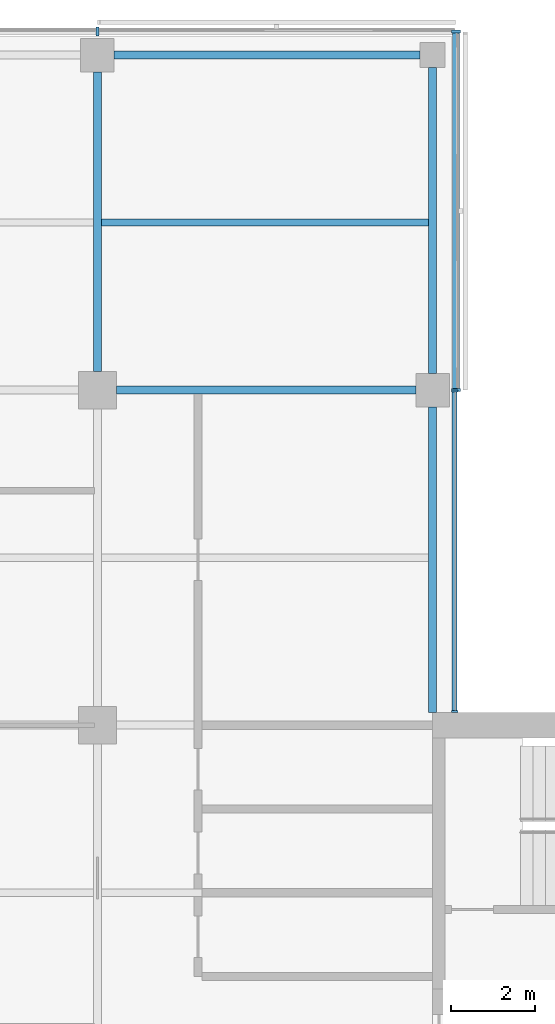
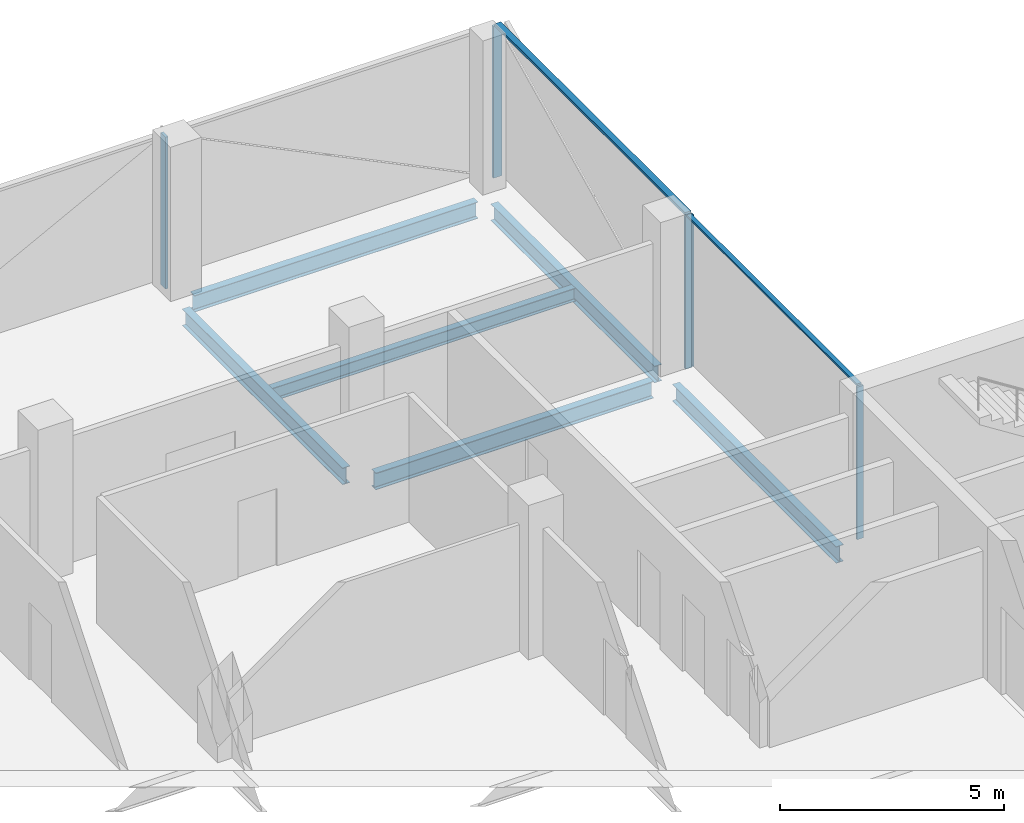
# One storey, part 7 of 16: 7 members, 6 beams, 3 elements without a shape of their own.
"""IFC4 building model written with IfcOpenShell, lengths in metres."""

from ifc_helpers import new_model, si_unit, direction, frame, origin, origin_2d, place, context, subcontext, project, spatial, rectangle, i_section, extrude, material, material_profile, profile_set, type_object, element, aggregate, save


model = new_model("IFC4")

# Units and contexts
model_context = context("Model", 3, precision=1e-05, world=origin(), true_north=direction((0.0, 1.0)))
body_context = subcontext(model_context, "Body", "Model", "MODEL_VIEW")
ifc_project = project(units=[si_unit("LENGTHUNIT", "METRE"), si_unit("AREAUNIT", "SQUARE_METRE"), si_unit("VOLUMEUNIT", "CUBIC_METRE"), si_unit("PLANEANGLEUNIT", "RADIAN"), si_unit("MASSUNIT", "GRAM", prefix="KILO")], contexts=[model_context])

# Site, building, storey
site_placement = place(None, origin())
site = spatial("IfcSite", under=ifc_project, at=site_placement, CompositionType="ELEMENT")
building_placement = place(site_placement, origin())
building = spatial("IfcBuilding", under=site, at=building_placement, Name="Crosswind Convention Tower", CompositionType="ELEMENT")
storey_placement = place(building_placement, frame((0.0, 0.0, 216.699951171875)))
storey = spatial("IfcBuildingStorey", under=building, at=storey_placement, Name="L46", CompositionType="ELEMENT", Elevation=216.699951171875)

# Beams
ifc_material_1 = material(Name="Steel S355", Category="steel")
ifc_material_profile_1 = material_profile(ifc_material_1, i_section(OverallWidth=0.18994140625, OverallDepth=0.45361328125, WebThickness=0.008544921875, FlangeThickness=0.0126953125, FilletRadius=0.01025390625, at=origin_2d()), Name="UB 457x191x67")
ifc_profile_set_1 = profile_set([ifc_material_profile_1], Name="Steel S355")
beam_type_1 = type_object("IfcBeamType", Name="Edge beam UB 457x191x67", PredefinedType="SPANDREL", material=ifc_profile_set_1)
for number, where, z_axis, x_axis, name in (
    (1, (129.39990234375, 128.0, -0.52685546875), (1.0, 0.0, 0.0), (0.0, 1.0, 0.0), "B16 L46 edge beam 10"),
    (2, (137.0, 112.300048828125, -0.52685546875), (0.0, 1.0, 0.0), (-1.0, 0.0, 0.0), "B16 L46 edge beam 13"),
    (3, (137.0, 120.39990234375, -0.52685546875), (0.0, 1.0, 0.0), (-1.0, 0.0, 0.0), "B16 L46 edge beam 14"),
):
    element("IfcBeam", number, at=place(storey_placement, frame(where, z_axis=z_axis, x_axis=x_axis)), inside=storey, type_object=beam_type_1, Name=name, PredefinedType="SPANDREL", context=body_context, shape_type="SweptSolid", body=[
        extrude(i_section(OverallWidth=0.18994140625, OverallDepth=0.45361328125, WebThickness=0.008544921875, FlangeThickness=0.0126953125, FilletRadius=0.01025390625, at=origin_2d()), origin(), (0.0, 0.0, 1.0), 7.300048828125),
    ])
ifc_material_profile_2 = material_profile(ifc_material_1, i_section(OverallWidth=0.1904296875, OverallDepth=0.457275390625, WebThickness=0.009033203125, FlangeThickness=0.014404296875, FilletRadius=0.01025390625, at=origin_2d()), Name="UB 457x191x75")
ifc_profile_set_2 = profile_set([ifc_material_profile_2], Name="Steel S355")
beam_type_2 = type_object("IfcBeamType", Name="Girder UB 457x191x75", PredefinedType="BEAM", material=ifc_profile_set_2)
for number, where, z_axis, x_axis, name in (
    (4, (129.0, 120.449951171875, -0.528564453125), (0.0, 1.0, 0.0), (-1.0, 0.0, 0.0), "B2 L46 girder 22"),
    (5, (129.449951171875, 120.0, -0.528564453125), (1.0, 0.0, 0.0), (0.0, 1.0, 0.0), "B2 L46 girder 24"),
):
    element("IfcBeam", number, at=place(storey_placement, frame(where, z_axis=z_axis, x_axis=x_axis)), inside=storey, type_object=beam_type_2, Name=name, PredefinedType="BEAM", context=body_context, shape_type="SweptSolid", body=[
        extrude(i_section(OverallWidth=0.1904296875, OverallDepth=0.457275390625, WebThickness=0.009033203125, FlangeThickness=0.014404296875, FilletRadius=0.01025390625, at=origin_2d()), origin(), (0.0, 0.0, 1.0), 7.150146484375),
    ])

# Curtain wall, members
ifc_material_2 = material(Name="Aluminium unitised curtain wall", Category="aluminium")
curtain_wall_type_1 = type_object("IfcCurtainWallType", Name="CORE END SLOT WALL 160", PredefinedType="USERDEFINED", material=ifc_material_2)
curtain_wall_1_placement = place(storey_placement, origin())
curtain_wall_1 = element("IfcCurtainWall", 6, at=curtain_wall_1_placement, inside=storey, type_object=curtain_wall_type_1, Name="CW6 L46 N-E.1-1 slot", ObjectType="UNITISED", PredefinedType="USERDEFINED")
ifc_material_3 = material(Name="Aluminium mullion", Category="aluminium")
ifc_material_profile_3 = material_profile(ifc_material_3, rectangle(XDim=0.159912109375, YDim=0.050048828125, at=origin_2d()), Name="AL 160X50")
ifc_profile_set_3 = profile_set([ifc_material_profile_3], Name="Aluminium mullion")
member_type_1 = type_object("IfcMemberType", Name="MULLION 50X160", PredefinedType="MULLION", material=ifc_profile_set_3)
member_1_placement = place(storey_placement, frame((137.530029296875, 112.324951171875, -0.300048828125), z_axis=(0.0, 0.0, 1.0), x_axis=(1.0, 0.0, 0.0)))
member_1 = element("IfcMember", 7, at=member_1_placement, type_object=member_type_1, Name="CW6 mullion 1", PredefinedType="MULLION", context=body_context, shape_type="SweptSolid", body=[
    extrude(rectangle(XDim=0.159912109375, YDim=0.050048828125, at=origin_2d()), origin(), (0.0, 0.0, 1.0), 4.150146484375),
])
member_2_placement = place(storey_placement, frame((137.530029296875, 119.97509765625, -0.300048828125), z_axis=(0.0, 0.0, 1.0), x_axis=(1.0, 0.0, 0.0)))
member_2 = element("IfcMember", 8, at=member_2_placement, type_object=member_type_1, Name="CW6 mullion 2", PredefinedType="MULLION", context=body_context, shape_type="SweptSolid", body=[
    extrude(rectangle(XDim=0.159912109375, YDim=0.050048828125, at=origin_2d()), origin(), (0.0, 0.0, 1.0), 4.150146484375),
])

curtain_wall_type_2 = type_object("IfcCurtainWallType", Name="OFFICE UNITISED WALL 220", PredefinedType="USERDEFINED", material=ifc_material_2)
curtain_wall_2_placement = place(storey_placement, origin())
curtain_wall_2 = element("IfcCurtainWall", 9, at=curtain_wall_2_placement, inside=storey, type_object=curtain_wall_type_2, Name="CW3 L46 N-E 1", ObjectType="UNITISED", PredefinedType="USERDEFINED")
ifc_material_profile_4 = material_profile(ifc_material_3, rectangle(XDim=0.219970703125, YDim=0.070068359375, at=origin_2d()), Name="AL 220X70")
ifc_profile_set_4 = profile_set([ifc_material_profile_4], Name="Aluminium mullion")
member_type_2 = type_object("IfcMemberType", Name="MULLION 70X220", PredefinedType="MULLION", material=ifc_profile_set_4)
member_3_placement = place(storey_placement, frame((137.56005859375, 120.0, -0.300048828125), z_axis=(0.0, 0.0, 1.0), x_axis=(1.0, 0.0, 0.0)))
member_3 = element("IfcMember", 10, at=member_3_placement, type_object=member_type_2, Name="CW3 mullion 1", PredefinedType="MULLION", context=body_context, shape_type="SweptSolid", body=[
    extrude(rectangle(XDim=0.219970703125, YDim=0.070068359375, at=origin_2d()), origin(), (0.0, 0.0, 1.0), 4.130126953125),
])
member_4_placement = place(storey_placement, frame((137.56005859375, 128.56005859375, -0.300048828125), z_axis=(0.0, 0.0, 1.0), x_axis=(1.0, 0.0, 0.0)))
member_4 = element("IfcMember", 11, at=member_4_placement, type_object=member_type_2, Name="CW3 mullion 2", PredefinedType="MULLION", context=body_context, shape_type="SweptSolid", body=[
    extrude(rectangle(XDim=0.219970703125, YDim=0.070068359375, at=origin_2d()), origin(), (0.0, 0.0, 1.0), 4.130126953125),
])

# Curtain wall, member
curtain_wall_3_placement = place(storey_placement, origin())
curtain_wall_3 = element("IfcCurtainWall", 12, at=curtain_wall_3_placement, inside=storey, type_object=curtain_wall_type_2, Name="CW3 L46 N-TIP 1", ObjectType="UNITISED", PredefinedType="USERDEFINED")
member_5_placement = place(storey_placement, frame((129.0, 128.56005859375, -0.300048828125), z_axis=(0.0, 0.0, 1.0), x_axis=(0.0, 1.0, 0.0)))
member_5 = element("IfcMember", 13, at=member_5_placement, type_object=member_type_2, Name="CW3 mullion 2", PredefinedType="MULLION", context=body_context, shape_type="SweptSolid", body=[
    extrude(rectangle(XDim=0.219970703125, YDim=0.070068359375, at=origin_2d()), origin(), (0.0, 0.0, 1.0), 4.130126953125),
])
aggregate(curtain_wall_3, [member_5])

# Beam
ifc_material_profile_5 = material_profile(ifc_material_1, i_section(OverallWidth=0.172119140625, OverallDepth=0.358642578125, WebThickness=0.008056640625, FlangeThickness=0.012939453125, FilletRadius=0.01025390625, at=origin_2d()), Name="UB 356x171x57")
ifc_profile_set_5 = profile_set([ifc_material_profile_5], Name="Steel S355")
beam_type_3 = type_object("IfcBeamType", Name="Secondary beam UB 356x171x57", PredefinedType="JOIST", material=ifc_profile_set_5)
beam_placement = place(storey_placement, frame((129.09521484375, 124.0, -0.479248046875), z_axis=(1.0, 0.0, 0.0), x_axis=(0.0, 1.0, 0.0)))
element("IfcBeam", 14, at=beam_placement, inside=storey, type_object=beam_type_3, Name="B9 L46 secondary beam 21", PredefinedType="JOIST", context=body_context, shape_type="SweptSolid", body=[
    extrude(i_section(OverallWidth=0.172119140625, OverallDepth=0.358642578125, WebThickness=0.008056640625, FlangeThickness=0.012939453125, FilletRadius=0.01025390625, at=origin_2d()), origin(), (0.0, 0.0, 1.0), 7.809814453125),
])

# Member
ifc_material_4 = material(Name="Aluminium transom", Category="aluminium")
ifc_material_profile_6 = material_profile(ifc_material_4, rectangle(XDim=0.1201171875, YDim=0.050048828125, at=origin_2d()), Name="AL 120X50")
ifc_profile_set_6 = profile_set([ifc_material_profile_6], Name="Aluminium transom")
member_type_3 = type_object("IfcMemberType", Name="TRANSOM 50X120", PredefinedType="USERDEFINED", material=ifc_profile_set_6)
member_6_placement = place(storey_placement, frame((137.530029296875, 112.35009765625, 3.875), z_axis=(0.0, 1.0, 0.0), x_axis=(-1.0, 0.0, 0.0)))
member_6 = element("IfcMember", 15, at=member_6_placement, type_object=member_type_3, Name="CW6 transom", ObjectType="TRANSOM", PredefinedType="USERDEFINED", context=body_context, shape_type="SweptSolid", body=[
    extrude(rectangle(XDim=0.1201171875, YDim=0.050048828125, at=origin_2d()), origin(), (0.0, 0.0, 1.0), 7.599853515625),
])

aggregate(curtain_wall_1, [member_1, member_2, member_6])

ifc_material_profile_7 = material_profile(ifc_material_4, rectangle(XDim=0.159912109375, YDim=0.070068359375, at=origin_2d()), Name="AL 160X70")
ifc_profile_set_7 = profile_set([ifc_material_profile_7], Name="Aluminium transom")
member_type_4 = type_object("IfcMemberType", Name="TRANSOM 70X160", PredefinedType="USERDEFINED", material=ifc_profile_set_7)
member_7_placement = place(storey_placement, frame((137.56005859375, 120.034912109375, 3.864990234375), z_axis=(0.0, 1.0, 0.0), x_axis=(-1.0, 0.0, 0.0)))
member_7 = element("IfcMember", 16, at=member_7_placement, type_object=member_type_4, Name="CW3 transom", ObjectType="TRANSOM", PredefinedType="USERDEFINED", context=body_context, shape_type="SweptSolid", body=[
    extrude(rectangle(XDim=0.159912109375, YDim=0.070068359375, at=origin_2d()), origin(), (0.0, 0.0, 1.0), 8.489990234375),
])

aggregate(curtain_wall_2, [member_3, member_4, member_7])

save(model, "model.ifc")
